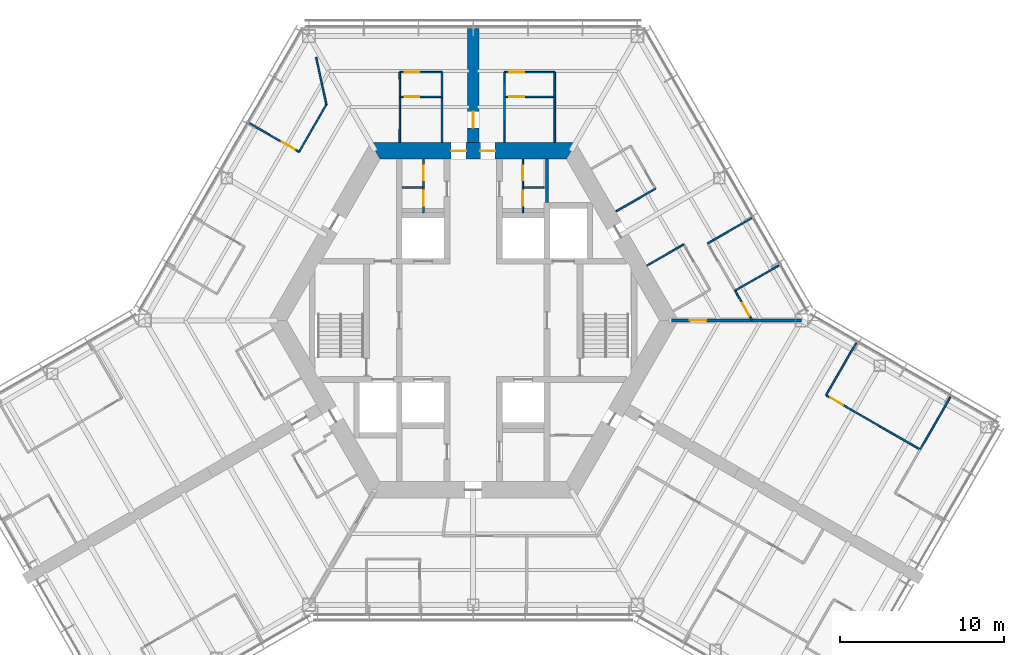
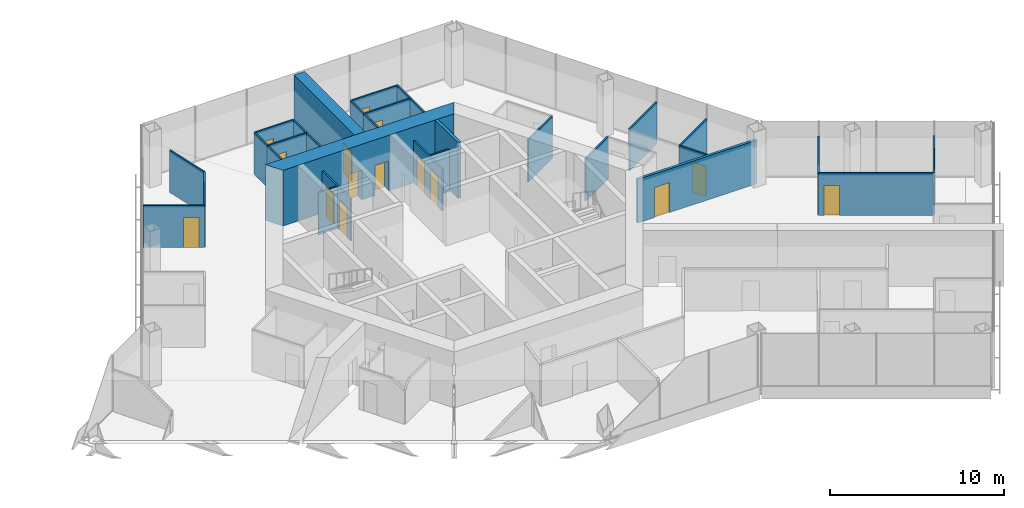
# One storey, part 14 of 18: 31 walls, 15 doors, 15 openings.
"""IFC4 building model written with IfcOpenShell, lengths in metres."""

from ifc_helpers import new_model, si_unit, direction, frame, frame_2d, origin, place, context, subcontext, project, spatial, polyline, rectangle, outline, extrude, material, layer, layer_set, type_object, element, fill, save


model = new_model("IFC4")

# Units and contexts
model_context = context("Model", 3, precision=1e-05, world=origin(), true_north=direction((0.0, 1.0)))
body_context = subcontext(model_context, "Body", "Model", "MODEL_VIEW")
ifc_project = project(units=[si_unit("LENGTHUNIT", "METRE"), si_unit("AREAUNIT", "SQUARE_METRE"), si_unit("VOLUMEUNIT", "CUBIC_METRE"), si_unit("PLANEANGLEUNIT", "RADIAN"), si_unit("MASSUNIT", "GRAM", prefix="KILO")], contexts=[model_context])

# Site, building, storey
site_placement = place(None, origin())
site = spatial("IfcSite", under=ifc_project, at=site_placement, CompositionType="ELEMENT")
building_placement = place(site_placement, origin())
building = spatial("IfcBuilding", under=site, at=building_placement, Name="Kasaneha Research Tower", CompositionType="ELEMENT")
storey_placement = place(building_placement, frame((0.0, 0.0, 176.0)))
storey = spatial("IfcBuildingStorey", under=building, at=storey_placement, Name="L44", CompositionType="ELEMENT", Elevation=176.0)

# Wall, openings, doors
ifc_material_1 = material(Name="Concrete Fc70", Category="concrete")
ifc_layer_1 = layer(ifc_material_1, 1.0)
ifc_layer_set_1 = layer_set([ifc_layer_1], Name="Core wall 1000 Fc70")
wall_type_1 = type_object("IfcWallType", Name="Core wall 1000 Fc70", PredefinedType="SHEAR", material=ifc_layer_set_1)
wall_1_placement = place(storey_placement, frame((5.961181640625, 10.324951171875, 0.0), z_axis=(0.0, 0.0, 1.0), x_axis=(-1.0, 0.0, 0.0)))
wall_1 = element("IfcWall", 1, at=wall_1_placement, inside=storey, type_object=wall_type_1, Name="Core wall 090 L44", PredefinedType="SHEAR", context=body_context, shape_type="SweptSolid", body=[
    extrude(outline(polyline([(-0.28857421875, -0.5), (4.62353515625, -0.5), (5.5234375, -0.5), (6.398681640625, -0.5), (7.298583984375, -0.5), (12.2109375, -0.5), (11.6337890625, 0.5), (7.298583984375, 0.5), (6.398681640625, 0.5), (5.5234375, 0.5), (4.62353515625, 0.5), (0.28857421875, 0.5), (-0.28857421875, -0.5)])), origin(), (0.0, 0.0, 1.0), 3.89990234375),
])
opening_1_placement = place(wall_1_placement, frame((6.398681640625, 0.0, 0.0)))
opening_1 = element("IfcOpeningElement", 2, at=opening_1_placement, cuts=wall_1, Name="Opening L44-D01", PredefinedType="OPENING", context=body_context, shape_type="SweptSolid", body=[
    extrude(rectangle(XDim=0.89990234375, YDim=2.10009765625, at=frame_2d((0.449951171875, 1.050048828125))), frame((0.0, 0.510009765625, 0.0), z_axis=(0.0, -1.0, 0.0), x_axis=(1.0, 0.0, 0.0)), (0.0, 0.0, 1.0), 1.02001953125),
])
opening_2_placement = place(wall_1_placement, frame((4.62353515625, 0.0, 0.0)))
opening_2 = element("IfcOpeningElement", 3, at=opening_2_placement, cuts=wall_1, Name="Opening L44-D02", PredefinedType="OPENING", context=body_context, shape_type="SweptSolid", body=[
    extrude(rectangle(XDim=0.89990234375, YDim=2.10009765625, at=frame_2d((0.449951171875, 1.050048828125))), frame((0.0, 0.510009765625, 0.0), z_axis=(0.0, -1.0, 0.0), x_axis=(1.0, 0.0, 0.0)), (0.0, 0.0, 1.0), 1.02001953125),
])
ifc_material_2 = material(Name="Steel", Category="steel")
door_type_1 = type_object("IfcDoorType", Name="Toilet door FD20 900x2100", OperationType="NOTDEFINED", PredefinedType="DOOR", material=ifc_material_2)
door_1_placement = place(opening_1_placement, origin())
door_1 = element("IfcDoor", 4, at=door_1_placement, inside=storey, type_object=door_type_1, Name="Core door north 1 L44-D01", OperationType="SINGLE_SWING_RIGHT", OverallHeight=2.10009765625, OverallWidth=0.89990234375, PredefinedType="DOOR", context=body_context, shape_type="SweptSolid", body=[
    extrude(rectangle(XDim=0.89990234375, YDim=2.10009765625, at=frame_2d((0.449951171875, 1.050048828125))), frame((0.0, 0.02490234375, 0.0), z_axis=(0.0, -1.0, 0.0), x_axis=(1.0, 0.0, 0.0)), (0.0, 0.0, 1.0), 0.050048828125),
])
fill(opening_1, door_1)
door_2_placement = place(opening_2_placement, origin())
door_2 = element("IfcDoor", 5, at=door_2_placement, inside=storey, type_object=door_type_1, Name="Core door north 2 L44-D02", OperationType="SINGLE_SWING_LEFT", OverallHeight=2.10009765625, OverallWidth=0.89990234375, PredefinedType="DOOR", context=body_context, shape_type="SweptSolid", body=[
    extrude(rectangle(XDim=0.89990234375, YDim=2.10009765625, at=frame_2d((0.449951171875, 1.050048828125))), frame((0.0, 0.02490234375, 0.0), z_axis=(0.0, -1.0, 0.0), x_axis=(1.0, 0.0, 0.0)), (0.0, 0.0, 1.0), 0.050048828125),
])
fill(opening_2, door_2)

ifc_material_3 = material(Name="Gypsum board on steel studs, one layer each side", Category="steel")
ifc_layer_2 = layer(ifc_material_3, 0.10009765625)
ifc_layer_set_2 = layer_set([ifc_layer_2], Name="Office partition 100")
wall_type_2 = type_object("IfcWallType", Name="Office partition 100", PredefinedType="PARTITIONING", material=ifc_layer_set_2)
wall_2_placement = place(storey_placement, frame((-3.02490234375, 6.574951171875, 0.0), z_axis=(0.0, 0.0, 1.0), x_axis=(0.0, 1.0, 0.0)))
wall_2 = element("IfcWall", 6, at=wall_2_placement, inside=storey, type_object=wall_type_2, Name="Office partition TBM1 L44", PredefinedType="PARTITIONING", context=body_context, shape_type="SweptSolid", body=[
    extrude(rectangle(XDim=3.25, YDim=0.10009765625, at=frame_2d((1.625, 0.0))), origin(), (0.0, 0.0, 1.0), 2.949951171875),
])
opening_3_placement = place(wall_2_placement, frame((1.96240234375, 0.0, 0.0)))
opening_3 = element("IfcOpeningElement", 7, at=opening_3_placement, cuts=wall_2, Name="Opening L44-D20", PredefinedType="OPENING", context=body_context, shape_type="SweptSolid", body=[
    extrude(rectangle(XDim=0.89990234375, YDim=2.10009765625, at=frame_2d((0.449951171875, 1.050048828125))), frame((0.0, 0.06005859375, 0.0), z_axis=(0.0, -1.0, 0.0), x_axis=(1.0, 0.0, 0.0)), (0.0, 0.0, 1.0), 0.1201171875),
])
opening_4_placement = place(wall_2_placement, frame((0.41259765625, 0.0, 0.0)))
opening_4 = element("IfcOpeningElement", 8, at=opening_4_placement, cuts=wall_2, Name="Opening L44-D21", PredefinedType="OPENING", context=body_context, shape_type="SweptSolid", body=[
    extrude(rectangle(XDim=0.89990234375, YDim=2.10009765625, at=frame_2d((0.449951171875, 1.050048828125))), frame((0.0, 0.06005859375, 0.0), z_axis=(0.0, -1.0, 0.0), x_axis=(1.0, 0.0, 0.0)), (0.0, 0.0, 1.0), 0.1201171875),
])
ifc_material_4 = material(Name="Steel", Category="steel")
door_type_2 = type_object("IfcDoorType", Name="Toilet lobby door FD30 900x2100", OperationType="NOTDEFINED", PredefinedType="DOOR", material=ifc_material_4)
door_3_placement = place(opening_3_placement, origin())
door_3 = element("IfcDoor", 9, at=door_3_placement, inside=storey, type_object=door_type_2, Name="Men's WC door L44-D20", OperationType="SINGLE_SWING_RIGHT", OverallHeight=2.10009765625, OverallWidth=0.89990234375, PredefinedType="DOOR", context=body_context, shape_type="SweptSolid", body=[
    extrude(rectangle(XDim=0.89990234375, YDim=2.10009765625, at=frame_2d((0.449951171875, 1.050048828125))), frame((0.0, 0.02490234375, 0.0), z_axis=(0.0, -1.0, 0.0), x_axis=(1.0, 0.0, 0.0)), (0.0, 0.0, 1.0), 0.050048828125),
])
fill(opening_3, door_3)
door_4_placement = place(opening_4_placement, origin())
door_4 = element("IfcDoor", 10, at=door_4_placement, inside=storey, type_object=door_type_2, Name="Staff WC door L44-D21", OperationType="SINGLE_SWING_RIGHT", OverallHeight=2.10009765625, OverallWidth=0.89990234375, PredefinedType="DOOR", context=body_context, shape_type="SweptSolid", body=[
    extrude(rectangle(XDim=0.89990234375, YDim=2.10009765625, at=frame_2d((0.449951171875, 1.050048828125))), frame((0.0, 0.02490234375, 0.0), z_axis=(0.0, -1.0, 0.0), x_axis=(1.0, 0.0, 0.0)), (0.0, 0.0, 1.0), 0.050048828125),
])
fill(opening_4, door_4)

# Wall
wall_3_placement = place(storey_placement, frame((-3.074951171875, 8.10009765625, 0.0), z_axis=(0.0, 0.0, 1.0), x_axis=(-1.0, 0.0, 0.0)))
element("IfcWall", 11, at=wall_3_placement, inside=storey, type_object=wall_type_2, Name="Office partition TBM2 L44", PredefinedType="PARTITIONING", context=body_context, shape_type="SweptSolid", body=[
    extrude(rectangle(XDim=1.25, YDim=0.10009765625, at=frame_2d((0.625, 0.0))), origin(), (0.0, 0.0, 1.0), 2.949951171875),
])

# Wall, openings, doors
wall_4_placement = place(storey_placement, frame((3.02490234375, 6.574951171875, 0.0), z_axis=(0.0, 0.0, 1.0), x_axis=(0.0, 1.0, 0.0)))
wall_4 = element("IfcWall", 12, at=wall_4_placement, inside=storey, type_object=wall_type_2, Name="Office partition TBF1 L44", PredefinedType="PARTITIONING", context=body_context, shape_type="SweptSolid", body=[
    extrude(rectangle(XDim=3.25, YDim=0.10009765625, at=frame_2d((1.625, 0.0))), origin(), (0.0, 0.0, 1.0), 2.949951171875),
])
opening_5_placement = place(wall_4_placement, frame((1.96240234375, 0.0, 0.0)))
opening_5 = element("IfcOpeningElement", 13, at=opening_5_placement, cuts=wall_4, Name="Opening L44-D22", PredefinedType="OPENING", context=body_context, shape_type="SweptSolid", body=[
    extrude(rectangle(XDim=0.89990234375, YDim=2.10009765625, at=frame_2d((0.449951171875, 1.050048828125))), frame((0.0, 0.06005859375, 0.0), z_axis=(0.0, -1.0, 0.0), x_axis=(1.0, 0.0, 0.0)), (0.0, 0.0, 1.0), 0.1201171875),
])
opening_6_placement = place(wall_4_placement, frame((0.41259765625, 0.0, 0.0)))
opening_6 = element("IfcOpeningElement", 14, at=opening_6_placement, cuts=wall_4, Name="Opening L44-D23", PredefinedType="OPENING", context=body_context, shape_type="SweptSolid", body=[
    extrude(rectangle(XDim=0.89990234375, YDim=2.10009765625, at=frame_2d((0.449951171875, 1.050048828125))), frame((0.0, 0.06005859375, 0.0), z_axis=(0.0, -1.0, 0.0), x_axis=(1.0, 0.0, 0.0)), (0.0, 0.0, 1.0), 0.1201171875),
])
door_5_placement = place(opening_5_placement, origin())
door_5 = element("IfcDoor", 15, at=door_5_placement, inside=storey, type_object=door_type_2, Name="Women's WC door L44-D22", OperationType="SINGLE_SWING_RIGHT", OverallHeight=2.10009765625, OverallWidth=0.89990234375, PredefinedType="DOOR", context=body_context, shape_type="SweptSolid", body=[
    extrude(rectangle(XDim=0.89990234375, YDim=2.10009765625, at=frame_2d((0.449951171875, 1.050048828125))), frame((0.0, 0.02490234375, 0.0), z_axis=(0.0, -1.0, 0.0), x_axis=(1.0, 0.0, 0.0)), (0.0, 0.0, 1.0), 0.050048828125),
])
fill(opening_5, door_5)
door_6_placement = place(opening_6_placement, origin())
door_6 = element("IfcDoor", 16, at=door_6_placement, inside=storey, type_object=door_type_2, Name="Cleaner's store door L44-D23", OperationType="SINGLE_SWING_RIGHT", OverallHeight=2.10009765625, OverallWidth=0.89990234375, PredefinedType="DOOR", context=body_context, shape_type="SweptSolid", body=[
    extrude(rectangle(XDim=0.89990234375, YDim=2.10009765625, at=frame_2d((0.449951171875, 1.050048828125))), frame((0.0, 0.02490234375, 0.0), z_axis=(0.0, -1.0, 0.0), x_axis=(1.0, 0.0, 0.0)), (0.0, 0.0, 1.0), 0.050048828125),
])
fill(opening_6, door_6)

# Wall
wall_5_placement = place(storey_placement, frame((3.074951171875, 8.10009765625, 0.0), z_axis=(0.0, 0.0, 1.0), x_axis=(1.0, 0.0, 0.0)))
element("IfcWall", 17, at=wall_5_placement, inside=storey, type_object=wall_type_2, Name="Office partition TBF2 L44", PredefinedType="PARTITIONING", context=body_context, shape_type="SweptSolid", body=[
    extrude(rectangle(XDim=1.25, YDim=0.10009765625, at=frame_2d((0.625, 0.0))), origin(), (0.0, 0.0, 1.0), 2.949951171875),
])

# Wall, opening, door
wall_6_placement = place(storey_placement, frame((1.89990234375, 13.6201171875, 0.0), z_axis=(0.0, 0.0, 1.0), x_axis=(1.0, 0.0, 0.0)))
wall_6 = element("IfcWall", 18, at=wall_6_placement, inside=storey, type_object=wall_type_2, Name="Office partition FAE01 L44", PredefinedType="PARTITIONING", context=body_context, shape_type="SweptSolid", body=[
    extrude(rectangle(XDim=3.071044921875, YDim=0.10009765625, at=frame_2d((1.53564453125, 0.0))), origin(), (0.0, 0.0, 1.0), 2.949951171875),
])
opening_7_placement = place(wall_6_placement, frame((0.300048828125, 0.0, 0.0)))
opening_7 = element("IfcOpeningElement", 19, at=opening_7_placement, cuts=wall_6, Name="Opening L44-D27", PredefinedType="OPENING", context=body_context, shape_type="SweptSolid", body=[
    extrude(rectangle(XDim=0.89990234375, YDim=2.10009765625, at=frame_2d((0.449951171875, 1.050048828125))), frame((0.0, 0.06005859375, 0.0), z_axis=(0.0, -1.0, 0.0), x_axis=(1.0, 0.0, 0.0)), (0.0, 0.0, 1.0), 0.1201171875),
])
door_7_placement = place(opening_7_placement, origin())
door_7 = element("IfcDoor", 20, at=door_7_placement, inside=storey, type_object=door_type_2, Name="Women's WC door L44-D27", OperationType="SINGLE_SWING_LEFT", OverallHeight=2.10009765625, OverallWidth=0.89990234375, PredefinedType="DOOR", context=body_context, shape_type="SweptSolid", body=[
    extrude(rectangle(XDim=0.89990234375, YDim=2.10009765625, at=frame_2d((0.449951171875, 1.050048828125))), frame((0.0, 0.02490234375, 0.0), z_axis=(0.0, -1.0, 0.0), x_axis=(1.0, 0.0, 0.0)), (0.0, 0.0, 1.0), 0.050048828125),
])
fill(opening_7, door_7)

# Walls
for number, where, z_axis, x_axis, name in (
    (21, (1.89990234375, 10.844970703125, 0.0), (0.0, 0.0, 1.0), (0.001668567099, 0.999998607941, 0.0), "Office partition FAE02 L44"),
    (22, (4.96630859375, 13.625, 0.0), (0.0, 0.0, 1.0), (0.001668567099, -0.999998607941, 0.0), "Office partition FAE03 L44"),
):
    element("IfcWall", number, at=place(storey_placement, frame(where, z_axis=z_axis, x_axis=x_axis)), inside=storey, type_object=wall_type_2, Name=name, PredefinedType="PARTITIONING", context=body_context, shape_type="SweptSolid", body=[
        extrude(rectangle(XDim=2.780029296875, YDim=0.10009765625, at=frame_2d((1.39013671875, 0.0))), origin(), (0.0, 0.0, 1.0), 2.949951171875),
    ])

# Wall, opening, door
wall_7_placement = place(storey_placement, frame((1.89990234375, 15.125, 0.0), z_axis=(0.0, 0.0, 1.0), x_axis=(1.0, 0.0, 0.0)))
wall_7 = element("IfcWall", 23, at=wall_7_placement, inside=storey, type_object=wall_type_2, Name="Office partition FAE04 L44", PredefinedType="PARTITIONING", context=body_context, shape_type="SweptSolid", body=[
    extrude(rectangle(XDim=3.071044921875, YDim=0.10009765625, at=frame_2d((1.53564453125, 0.0))), origin(), (0.0, 0.0, 1.0), 2.949951171875),
])
opening_8_placement = place(wall_7_placement, frame((0.300048828125, 0.0, 0.0)))
opening_8 = element("IfcOpeningElement", 24, at=opening_8_placement, cuts=wall_7, Name="Opening L44-D28", PredefinedType="OPENING", context=body_context, shape_type="SweptSolid", body=[
    extrude(rectangle(XDim=0.89990234375, YDim=2.10009765625, at=frame_2d((0.449951171875, 1.050048828125))), frame((0.0, 0.06005859375, 0.0), z_axis=(0.0, -1.0, 0.0), x_axis=(1.0, 0.0, 0.0)), (0.0, 0.0, 1.0), 0.1201171875),
])
door_8_placement = place(opening_8_placement, origin())
door_8 = element("IfcDoor", 25, at=door_8_placement, inside=storey, type_object=door_type_2, Name="Toilet lobby door L44-D28", OperationType="SINGLE_SWING_LEFT", OverallHeight=2.10009765625, OverallWidth=0.89990234375, PredefinedType="DOOR", context=body_context, shape_type="SweptSolid", body=[
    extrude(rectangle(XDim=0.89990234375, YDim=2.10009765625, at=frame_2d((0.449951171875, 1.050048828125))), frame((0.0, 0.02490234375, 0.0), z_axis=(0.0, -1.0, 0.0), x_axis=(1.0, 0.0, 0.0)), (0.0, 0.0, 1.0), 0.050048828125),
])
fill(opening_8, door_8)

# Walls
for number, where, z_axis, x_axis, name in (
    (26, (1.904541015625, 13.625, 0.0), (0.0, 0.0, 1.0), (-0.00309243313, 0.999995218417, 0.0), "Office partition FAE05 L44"),
    (27, (4.970947265625, 15.125, 0.0), (0.0, 0.0, 1.0), (-0.00309243313, -0.999995218417, 0.0), "Office partition FAE06 L44"),
):
    element("IfcWall", number, at=place(storey_placement, frame(where, z_axis=z_axis, x_axis=x_axis)), inside=storey, type_object=wall_type_2, Name=name, PredefinedType="PARTITIONING", context=body_context, shape_type="SweptSolid", body=[
        extrude(rectangle(XDim=1.5, YDim=0.10009765625, at=frame_2d((0.75, 0.0))), origin(), (0.0, 0.0, 1.0), 2.949951171875),
    ])
wall_8_placement = place(storey_placement, frame((11.099609375, 8.02490234375, 0.0), z_axis=(0.0, 0.0, 1.0), x_axis=(-0.866056901187, -0.49994544093, 0.0)))
element("IfcWall", 28, at=wall_8_placement, inside=storey, type_object=wall_type_2, Name="Office partition FAE09 L44", PredefinedType="PARTITIONING", context=body_context, shape_type="SweptSolid", body=[
    extrude(rectangle(XDim=2.780029296875, YDim=0.10009765625, at=frame_2d((1.39013671875, 0.0))), origin(), (0.0, 0.0, 1.0), 2.949951171875),
])
wall_9_placement = place(storey_placement, frame((10.592041015625, 3.343994140625, 0.0), z_axis=(0.0, 0.0, 1.0), x_axis=(0.866021702275, 0.500006411147, 0.0)))
element("IfcWall", 29, at=wall_9_placement, inside=storey, type_object=wall_type_2, Name="Office partition FAE10 L44", PredefinedType="PARTITIONING", context=body_context, shape_type="SweptSolid", body=[
    extrude(rectangle(XDim=2.580078125, YDim=0.10009765625, at=frame_2d((1.2900390625, 0.0))), origin(), (0.0, 0.0, 1.0), 2.949951171875),
])
wall_10_placement = place(storey_placement, frame((18.619873046875, 3.3505859375, 0.0), z_axis=(0.0, 0.0, 1.0), x_axis=(-0.866810383216, -0.498637904244, 0.0)))
element("IfcWall", 30, at=wall_10_placement, inside=storey, type_object=wall_type_2, Name="Office partition FAE13 L44", PredefinedType="PARTITIONING", context=body_context, shape_type="SweptSolid", body=[
    extrude(rectangle(XDim=3.080078125, YDim=0.10009765625, at=frame_2d((1.5400390625, 0.0))), origin(), (0.0, 0.0, 1.0), 2.949951171875),
])
wall_11_placement = place(storey_placement, frame((14.287109375, 4.6953125, 0.0), z_axis=(0.0, 0.0, 1.0), x_axis=(0.866023220135, 0.500003782172, 0.0)))
element("IfcWall", 31, at=wall_11_placement, inside=storey, type_object=wall_type_2, Name="Office partition FAE14 L44", PredefinedType="PARTITIONING", context=body_context, shape_type="SweptSolid", body=[
    extrude(rectangle(XDim=3.10498046875, YDim=0.10009765625, at=frame_2d((1.552490234375, 0.0))), origin(), (0.0, 0.0, 1.0), 2.949951171875),
])

# Wall, opening, door
wall_12_placement = place(storey_placement, frame((16.986083984375, 0.02001953125, 0.0), z_axis=(0.0, 0.0, 1.0), x_axis=(-0.498096123952, 0.867121820337, 0.0)))
wall_12 = element("IfcWall", 32, at=wall_12_placement, inside=storey, type_object=wall_type_2, Name="Office partition FAE16 L44", PredefinedType="PARTITIONING", context=body_context, shape_type="SweptSolid", body=[
    extrude(rectangle(XDim=2.0673828125, YDim=0.10009765625, at=frame_2d((1.03369140625, 0.0))), origin(), (0.0, 0.0, 1.0), 2.949951171875),
])
opening_9_placement = place(wall_12_placement, frame((0.300048828125, 0.0, 0.0)))
opening_9 = element("IfcOpeningElement", 33, at=opening_9_placement, cuts=wall_12, Name="Opening L44-D32", PredefinedType="OPENING", context=body_context, shape_type="SweptSolid", body=[
    extrude(rectangle(XDim=0.89990234375, YDim=2.10009765625, at=frame_2d((0.449951171875, 1.050048828125))), frame((0.0, 0.06005859375, 0.0), z_axis=(0.0, -1.0, 0.0), x_axis=(1.0, 0.0, 0.0)), (0.0, 0.0, 1.0), 0.1201171875),
])
ifc_material_5 = material(Name="Timber veneer", Category="wood")
door_type_3 = type_object("IfcDoorType", Name="Office door 900x2100", OperationType="SINGLE_SWING_LEFT", PredefinedType="DOOR", material=ifc_material_5)
door_9_placement = place(opening_9_placement, origin())
door_9 = element("IfcDoor", 34, at=door_9_placement, inside=storey, type_object=door_type_3, Name="Phone room door L44-D32", OperationType="SINGLE_SWING_LEFT", OverallHeight=2.10009765625, OverallWidth=0.89990234375, PredefinedType="DOOR", context=body_context, shape_type="SweptSolid", body=[
    extrude(rectangle(XDim=0.89990234375, YDim=2.10009765625, at=frame_2d((0.449951171875, 1.050048828125))), frame((0.0, 0.02490234375, 0.0), z_axis=(0.0, -1.0, 0.0), x_axis=(1.0, 0.0, 0.0)), (0.0, 0.0, 1.0), 0.050048828125),
])
fill(opening_9, door_9)

wall_13_placement = place(storey_placement, frame((-4.470947265625, 13.6201171875, 0.0), z_axis=(0.0, 0.0, 1.0), x_axis=(1.0, 0.0, 0.0)))
wall_13 = element("IfcWall", 35, at=wall_13_placement, inside=storey, type_object=wall_type_2, Name="Office partition FAW01 L44", PredefinedType="PARTITIONING", context=body_context, shape_type="SweptSolid", body=[
    extrude(rectangle(XDim=2.571044921875, YDim=0.10009765625, at=frame_2d((1.28564453125, 0.0))), origin(), (0.0, 0.0, 1.0), 2.949951171875),
])
opening_10_placement = place(wall_13_placement, frame((0.300048828125, 0.0, 0.0)))
opening_10 = element("IfcOpeningElement", 36, at=opening_10_placement, cuts=wall_13, Name="Opening L44-D33", PredefinedType="OPENING", context=body_context, shape_type="SweptSolid", body=[
    extrude(rectangle(XDim=0.89990234375, YDim=2.10009765625, at=frame_2d((0.449951171875, 1.050048828125))), frame((0.0, 0.06005859375, 0.0), z_axis=(0.0, -1.0, 0.0), x_axis=(1.0, 0.0, 0.0)), (0.0, 0.0, 1.0), 0.1201171875),
])
door_10_placement = place(opening_10_placement, origin())
door_10 = element("IfcDoor", 37, at=door_10_placement, inside=storey, type_object=door_type_2, Name="Men's WC door L44-D33", OperationType="SINGLE_SWING_LEFT", OverallHeight=2.10009765625, OverallWidth=0.89990234375, PredefinedType="DOOR", context=body_context, shape_type="SweptSolid", body=[
    extrude(rectangle(XDim=0.89990234375, YDim=2.10009765625, at=frame_2d((0.449951171875, 1.050048828125))), frame((0.0, 0.02490234375, 0.0), z_axis=(0.0, -1.0, 0.0), x_axis=(1.0, 0.0, 0.0)), (0.0, 0.0, 1.0), 0.050048828125),
])
fill(opening_10, door_10)

# Walls
for number, where, z_axis, x_axis, name in (
    (38, (-4.470947265625, 10.844970703125, 0.0), (0.0, 0.0, 1.0), (0.001668567099, 0.999998607941, 0.0), "Office partition FAW02 L44"),
    (39, (-1.90478515625, 13.625, 0.0), (0.0, 0.0, 1.0), (0.001756386155, -0.999998457553, 0.0), "Office partition FAW03 L44"),
):
    element("IfcWall", number, at=place(storey_placement, frame(where, z_axis=z_axis, x_axis=x_axis)), inside=storey, type_object=wall_type_2, Name=name, PredefinedType="PARTITIONING", context=body_context, shape_type="SweptSolid", body=[
        extrude(rectangle(XDim=2.780029296875, YDim=0.10009765625, at=frame_2d((1.39013671875, 0.0))), origin(), (0.0, 0.0, 1.0), 2.949951171875),
    ])

# Wall, opening, door
wall_14_placement = place(storey_placement, frame((-4.470947265625, 15.125, 0.0), z_axis=(0.0, 0.0, 1.0), x_axis=(1.0, 0.0, 0.0)))
wall_14 = element("IfcWall", 40, at=wall_14_placement, inside=storey, type_object=wall_type_2, Name="Office partition FAW04 L44", PredefinedType="PARTITIONING", context=body_context, shape_type="SweptSolid", body=[
    extrude(rectangle(XDim=2.571044921875, YDim=0.10009765625, at=frame_2d((1.28564453125, 0.0))), origin(), (0.0, 0.0, 1.0), 2.949951171875),
])
opening_11_placement = place(wall_14_placement, frame((0.300048828125, 0.0, 0.0)))
opening_11 = element("IfcOpeningElement", 41, at=opening_11_placement, cuts=wall_14, Name="Opening L44-D34", PredefinedType="OPENING", context=body_context, shape_type="SweptSolid", body=[
    extrude(rectangle(XDim=0.89990234375, YDim=2.10009765625, at=frame_2d((0.449951171875, 1.050048828125))), frame((0.0, 0.06005859375, 0.0), z_axis=(0.0, -1.0, 0.0), x_axis=(1.0, 0.0, 0.0)), (0.0, 0.0, 1.0), 0.1201171875),
])
door_11_placement = place(opening_11_placement, origin())
door_11 = element("IfcDoor", 42, at=door_11_placement, inside=storey, type_object=door_type_2, Name="Toilet lobby door L44-D34", OperationType="SINGLE_SWING_LEFT", OverallHeight=2.10009765625, OverallWidth=0.89990234375, PredefinedType="DOOR", context=body_context, shape_type="SweptSolid", body=[
    extrude(rectangle(XDim=0.89990234375, YDim=2.10009765625, at=frame_2d((0.449951171875, 1.050048828125))), frame((0.0, 0.02490234375, 0.0), z_axis=(0.0, -1.0, 0.0), x_axis=(1.0, 0.0, 0.0)), (0.0, 0.0, 1.0), 0.050048828125),
])
fill(opening_11, door_11)

# Walls
for number, where, z_axis, x_axis, name in (
    (43, (-4.46630859375, 13.625, 0.0), (0.0, 0.0, 1.0), (-0.00309243313, 0.999995218417, 0.0), "Office partition FAW05 L44"),
    (44, (-1.89990234375, 15.125, 0.0), (0.0, 0.0, 1.0), (-0.003255191087, -0.999994701851, 0.0), "Office partition FAW06 L44"),
):
    element("IfcWall", number, at=place(storey_placement, frame(where, z_axis=z_axis, x_axis=x_axis)), inside=storey, type_object=wall_type_2, Name=name, PredefinedType="PARTITIONING", context=body_context, shape_type="SweptSolid", body=[
        extrude(rectangle(XDim=1.5, YDim=0.10009765625, at=frame_2d((0.75, 0.0))), origin(), (0.0, 0.0, 1.0), 2.949951171875),
    ])

# Wall, opening, door
wall_15_placement = place(storey_placement, frame((-10.609619140625, 10.264404296875, 0.0), z_axis=(0.0, 0.0, 1.0), x_axis=(-0.86601282795, 0.500021781351, 0.0)))
wall_15 = element("IfcWall", 45, at=wall_15_placement, inside=storey, type_object=wall_type_2, Name="Office partition FBN01 L44", PredefinedType="PARTITIONING", context=body_context, shape_type="SweptSolid", body=[
    extrude(rectangle(XDim=3.530029296875, YDim=0.10009765625, at=frame_2d((1.76513671875, 0.0))), origin(), (0.0, 0.0, 1.0), 2.949951171875),
])
opening_12_placement = place(wall_15_placement, frame((0.300048828125, 0.0, 0.0)))
opening_12 = element("IfcOpeningElement", 46, at=opening_12_placement, cuts=wall_15, Name="Opening L44-D35", PredefinedType="OPENING", context=body_context, shape_type="SweptSolid", body=[
    extrude(rectangle(XDim=0.89990234375, YDim=2.10009765625, at=frame_2d((0.449951171875, 1.050048828125))), frame((0.0, 0.06005859375, 0.0), z_axis=(0.0, -1.0, 0.0), x_axis=(1.0, 0.0, 0.0)), (0.0, 0.0, 1.0), 0.1201171875),
])
door_12_placement = place(opening_12_placement, origin())
door_12 = element("IfcDoor", 47, at=door_12_placement, inside=storey, type_object=door_type_3, Name="Reception room door L44-D35", OperationType="SINGLE_SWING_LEFT", OverallHeight=2.10009765625, OverallWidth=0.89990234375, PredefinedType="DOOR", context=body_context, shape_type="SweptSolid", body=[
    extrude(rectangle(XDim=0.89990234375, YDim=2.10009765625, at=frame_2d((0.449951171875, 1.050048828125))), frame((0.0, 0.02490234375, 0.0), z_axis=(0.0, -1.0, 0.0), x_axis=(1.0, 0.0, 0.0)), (0.0, 0.0, 1.0), 0.050048828125),
])
fill(opening_12, door_12)

# Walls
wall_16_placement = place(storey_placement, frame((-9.56396484375, 16.02392578125, 0.0), z_axis=(0.0, 0.0, 1.0), x_axis=(0.211116290139, -0.977460951669, 0.0)))
element("IfcWall", 48, at=wall_16_placement, inside=storey, type_object=wall_type_2, Name="Office partition FBN02 L44", PredefinedType="PARTITIONING", context=body_context, shape_type="SweptSolid", body=[
    extrude(rectangle(XDim=2.940673828125, YDim=0.10009765625, at=frame_2d((1.47021484375, 0.0))), origin(), (0.0, 0.0, 1.0), 2.949951171875),
])
wall_17_placement = place(storey_placement, frame((-8.943115234375, 13.1494140625, 0.0), z_axis=(0.0, 0.0, 1.0), x_axis=(-0.500189695295, -0.86591585545, 0.0)))
element("IfcWall", 49, at=wall_17_placement, inside=storey, type_object=wall_type_2, Name="Office partition FBN03 L44", PredefinedType="PARTITIONING", context=body_context, shape_type="SweptSolid", body=[
    extrude(rectangle(XDim=3.331787109375, YDim=0.10009765625, at=frame_2d((1.666015625, 0.0))), origin(), (0.0, 0.0, 1.0), 2.949951171875),
])
wall_18_placement = place(storey_placement, frame((29.077392578125, -4.65771484375, 0.0), z_axis=(0.0, 0.0, 1.0), x_axis=(-0.501275229052, -0.865287897026, 0.0)))
element("IfcWall", 50, at=wall_18_placement, inside=storey, type_object=wall_type_2, Name="Office partition FCE01 L44", PredefinedType="PARTITIONING", context=body_context, shape_type="SweptSolid", body=[
    extrude(rectangle(XDim=3.704833984375, YDim=0.10009765625, at=frame_2d((1.8525390625, 0.0))), origin(), (0.0, 0.0, 1.0), 2.949951171875),
])
wall_19_placement = place(storey_placement, frame((21.4921875, -4.556640625, 0.0), z_axis=(0.0, 0.0, 1.0), x_axis=(0.500013413428, 0.866017659399, 0.0)))
element("IfcWall", 51, at=wall_19_placement, inside=storey, type_object=wall_type_2, Name="Office partition FCE02 L44", PredefinedType="PARTITIONING", context=body_context, shape_type="SweptSolid", body=[
    extrude(rectangle(XDim=3.68017578125, YDim=0.10009765625, at=frame_2d((1.840087890625, 0.0))), origin(), (0.0, 0.0, 1.0), 2.949951171875),
])

# Wall, opening, door
wall_20_placement = place(storey_placement, frame((27.22705078125, -7.86279296875, 0.0), z_axis=(0.0, 0.0, 1.0), x_axis=(-0.866343956507, 0.499447844147, 0.0)))
wall_20 = element("IfcWall", 52, at=wall_20_placement, inside=storey, type_object=wall_type_2, Name="Office partition FCE03 L44", PredefinedType="PARTITIONING", context=body_context, shape_type="SweptSolid", body=[
    extrude(rectangle(XDim=6.61962890625, YDim=0.10009765625, at=frame_2d((3.309814453125, 0.0))), origin(), (0.0, 0.0, 1.0), 2.949951171875),
])
opening_13_placement = place(wall_20_placement, frame((5.419677734375, 0.0, 0.0)))
opening_13 = element("IfcOpeningElement", 53, at=opening_13_placement, cuts=wall_20, Name="Opening L44-D42", PredefinedType="OPENING", context=body_context, shape_type="SweptSolid", body=[
    extrude(rectangle(XDim=0.89990234375, YDim=2.10009765625, at=frame_2d((0.449951171875, 1.050048828125))), frame((0.0, 0.06005859375, 0.0), z_axis=(0.0, -1.0, 0.0), x_axis=(1.0, 0.0, 0.0)), (0.0, 0.0, 1.0), 0.1201171875),
])
door_13_placement = place(opening_13_placement, origin())
door_13 = element("IfcDoor", 54, at=door_13_placement, inside=storey, type_object=door_type_3, Name="Project room door L44-D42", OperationType="SINGLE_SWING_RIGHT", OverallHeight=2.10009765625, OverallWidth=0.89990234375, PredefinedType="DOOR", context=body_context, shape_type="SweptSolid", body=[
    extrude(rectangle(XDim=0.89990234375, YDim=2.10009765625, at=frame_2d((0.449951171875, 1.050048828125))), frame((0.0, 0.02490234375, 0.0), z_axis=(0.0, -1.0, 0.0), x_axis=(1.0, 0.0, 0.0)), (0.0, 0.0, 1.0), 0.050048828125),
])
fill(opening_13, door_13)

# Wall
ifc_material_6 = material(Name="Concrete block", Category="concrete")
ifc_layer_3 = layer(ifc_material_6, 0.199951171875)
ifc_layer_set_3 = layer_set([ifc_layer_3], Name="Riser enclosure wall 200")
wall_type_3 = type_object("IfcWallType", Name="Riser enclosure wall 200", PredefinedType="STANDARD", material=ifc_layer_set_3)
wall_21_placement = place(storey_placement, frame((4.5, 7.175048828125, 0.0), z_axis=(0.0, 0.0, 1.0), x_axis=(0.0, 1.0, 0.0)))
element("IfcWall", 55, at=wall_21_placement, inside=storey, type_object=wall_type_3, Name="Riser enclosure wall L44", PredefinedType="STANDARD", context=body_context, shape_type="SweptSolid", body=[
    extrude(rectangle(XDim=2.64990234375, YDim=0.199951171875, at=frame_2d((1.324951171875, 0.0))), origin(), (0.0, 0.0, 1.0), 3.89990234375),
])

# Wall, opening, door
ifc_material_7 = material(Name="Concrete Fc70", Category="concrete")
ifc_layer_4 = layer(ifc_material_7, 0.699951171875)
ifc_layer_set_4 = layer_set([ifc_layer_4], Name="Spine wall 700 Fc70")
wall_type_4 = type_object("IfcWallType", Name="Spine wall 700 Fc70", PredefinedType="SHEAR", material=ifc_layer_set_4)
wall_22_placement = place(storey_placement, frame((0.0, 10.824951171875, 0.0), z_axis=(0.0, 0.0, 1.0), x_axis=(0.0, 1.0, 0.0)))
wall_22 = element("IfcWall", 56, at=wall_22_placement, inside=storey, type_object=wall_type_4, Name="Spine wall A L44", PredefinedType="SHEAR", context=body_context, shape_type="SweptSolid", body=[
    extrude(rectangle(XDim=6.945556640625, YDim=0.699951171875, at=frame_2d((3.47265625, 0.0))), origin(), (0.0, 0.0, 1.0), 3.89990234375),
])
opening_14_placement = place(wall_22_placement, frame((0.89990234375, 0.0, 0.0)))
opening_14 = element("IfcOpeningElement", 57, at=opening_14_placement, cuts=wall_22, Name="Opening L44-D17", PredefinedType="OPENING", context=body_context, shape_type="SweptSolid", body=[
    extrude(rectangle(XDim=1.0, YDim=2.10009765625, at=frame_2d((0.5, 1.050048828125))), frame((0.0, 0.35986328125, 0.0), z_axis=(0.0, -1.0, 0.0), x_axis=(1.0, 0.0, 0.0)), (0.0, 0.0, 1.0), 0.719970703125),
])
ifc_material_8 = material(Name="Steel", Category="steel")
door_type_4 = type_object("IfcDoorType", Name="Specified fire door FD60 1000x2100", OperationType="NOTDEFINED", PredefinedType="DOOR", material=ifc_material_8)
door_14_placement = place(opening_14_placement, origin())
door_14 = element("IfcDoor", 58, at=door_14_placement, inside=storey, type_object=door_type_4, Name="Spine doorway A L44-D17", OperationType="SINGLE_SWING_LEFT", OverallHeight=2.10009765625, OverallWidth=1.0, PredefinedType="DOOR", context=body_context, shape_type="SweptSolid", body=[
    extrude(rectangle(XDim=1.0, YDim=2.10009765625, at=frame_2d((0.5, 1.050048828125))), frame((0.0, 0.02490234375, 0.0), z_axis=(0.0, -1.0, 0.0), x_axis=(1.0, 0.0, 0.0)), (0.0, 0.0, 1.0), 0.050048828125),
])
fill(opening_14, door_14)

ifc_material_9 = material(Name="Gypsum board on steel studs, two layers each side", Category="steel")
ifc_layer_5 = layer(ifc_material_9, 0.175048828125)
ifc_layer_set_5 = layer_set([ifc_layer_5], Name="Tenancy fire partition 175")
wall_type_5 = type_object("IfcWallType", Name="Tenancy fire partition 175", PredefinedType="PARTITIONING", material=ifc_layer_set_5)
wall_23_placement = place(storey_placement, frame((12.069580078125, 0.0, 0.0), z_axis=(0.0, 0.0, 1.0), x_axis=(1.0, 0.0, 0.0)))
wall_23 = element("IfcWall", 59, at=wall_23_placement, inside=storey, type_object=wall_type_5, Name="Tenancy fire partition T000 L44", PredefinedType="PARTITIONING", context=body_context, shape_type="SweptSolid", body=[
    extrude(rectangle(XDim=7.930419921875, YDim=0.175048828125, at=frame_2d((3.96533203125, 0.0))), origin(), (0.0, 0.0, 1.0), 3.050048828125),
])
opening_15_placement = place(wall_23_placement, frame((1.1298828125, 0.0, 0.0)))
opening_15 = element("IfcOpeningElement", 60, at=opening_15_placement, cuts=wall_23, Name="Opening L44-D25", PredefinedType="OPENING", context=body_context, shape_type="SweptSolid", body=[
    extrude(rectangle(XDim=1.0, YDim=2.10009765625, at=frame_2d((0.5, 1.050048828125))), frame((0.0, 0.09765625, 0.0), z_axis=(0.0, -1.0, 0.0), x_axis=(1.0, 0.0, 0.0)), (0.0, 0.0, 1.0), 0.195068359375),
])
ifc_material_10 = material(Name="Steel", Category="steel")
door_type_5 = type_object("IfcDoorType", Name="Suite entrance door FD60 1000x2100", OperationType="NOTDEFINED", PredefinedType="DOOR", material=ifc_material_10)
door_15_placement = place(opening_15_placement, origin())
door_15 = element("IfcDoor", 61, at=door_15_placement, inside=storey, type_object=door_type_5, Name="Connecting door L44-D25", OperationType="SINGLE_SWING_LEFT", OverallHeight=2.10009765625, OverallWidth=1.0, PredefinedType="DOOR", context=body_context, shape_type="SweptSolid", body=[
    extrude(rectangle(XDim=1.0, YDim=2.10009765625, at=frame_2d((0.5, 1.050048828125))), frame((0.0, 0.02490234375, 0.0), z_axis=(0.0, -1.0, 0.0), x_axis=(1.0, 0.0, 0.0)), (0.0, 0.0, 1.0), 0.050048828125),
])
fill(opening_15, door_15)

save(model, "model.ifc")
